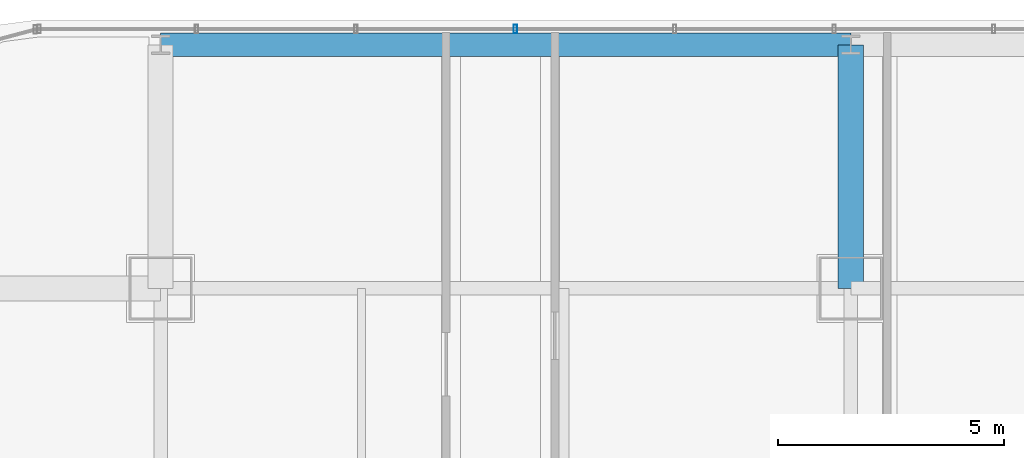
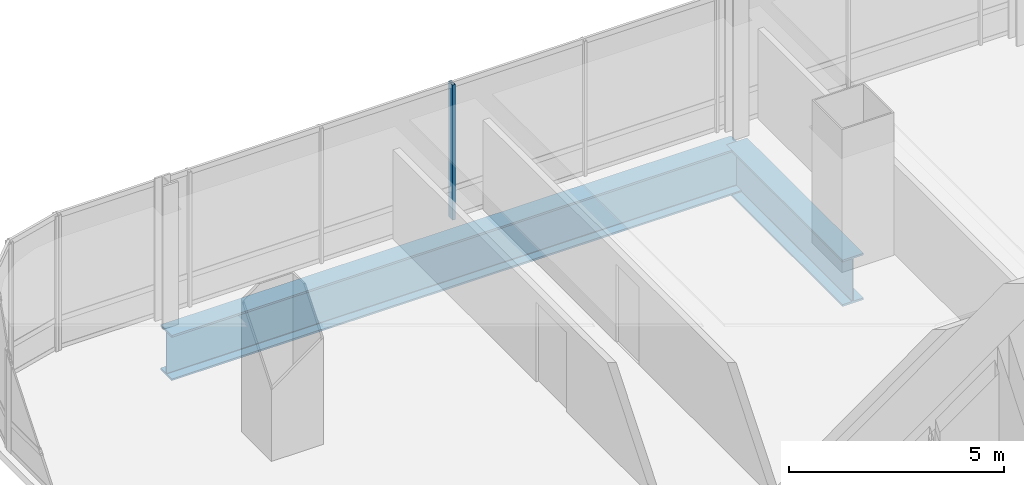
# One storey, part 22 of 38: 2 beams, 1 member, 1 element without a shape of its own.
"""IFC4 building model written with IfcOpenShell, lengths in metres."""

from ifc_helpers import new_model, si_unit, direction, frame, origin, origin_2d, place, context, subcontext, project, spatial, hollow_rectangle, i_section, extrude, material, material_profile, profile_set, type_object, element, aggregate, save


model = new_model("IFC4")

# Units and contexts
model_context = context("Model", 3, precision=1e-05, world=origin(), true_north=direction((0.0, 1.0)))
body_context = subcontext(model_context, "Body", "Model", "MODEL_VIEW")
ifc_project = project(units=[si_unit("LENGTHUNIT", "METRE"), si_unit("AREAUNIT", "SQUARE_METRE"), si_unit("VOLUMEUNIT", "CUBIC_METRE"), si_unit("PLANEANGLEUNIT", "RADIAN"), si_unit("MASSUNIT", "GRAM", prefix="KILO")], contexts=[model_context])

# Site, building, storey
site_placement = place(None, origin())
site = spatial("IfcSite", under=ifc_project, at=site_placement, CompositionType="ELEMENT")
building_placement = place(site_placement, origin())
building = spatial("IfcBuilding", under=site, at=building_placement, Name="Punatoya Terracotta Tower", CompositionType="ELEMENT")
storey_placement = place(building_placement, frame((0.0, 0.0, 147.89990234375)))
storey = spatial("IfcBuildingStorey", under=building, at=storey_placement, Name="L34", CompositionType="ELEMENT", Elevation=147.89990234375)

# Beams
ifc_material_1 = material(Name="Steel S460", Category="steel")
ifc_material_profile_1 = material_profile(ifc_material_1, i_section(OverallWidth=0.56005859375, OverallDepth=1.320068359375, WebThickness=0.035888671875, FlangeThickness=0.054931640625, FilletRadius=0.01806640625, at=origin_2d()))
ifc_profile_set_1 = profile_set([ifc_material_profile_1], Name="Steel S460")
beam_type_1 = type_object("IfcBeamType", Name="BM-TG-BLK", PredefinedType="BEAM", material=ifc_profile_set_1)
beam_1_placement = place(storey_placement, frame((-3.800048828125, 17.5, -0.8798828125), z_axis=(0.0, 1.0, 0.0), x_axis=(-1.0, 0.0, 0.0)))
element("IfcBeam", 1, at=beam_1_placement, inside=storey, type_object=beam_type_1, Name="BM-L34-CANT-N2", PredefinedType="BEAM", context=body_context, shape_type="SweptSolid", body=[
    extrude(i_section(OverallWidth=0.56005859375, OverallDepth=1.320068359375, WebThickness=0.035888671875, FlangeThickness=0.054931640625, FilletRadius=0.01806640625, at=origin_2d()), origin(), (0.0, 0.0, 1.0), 5.39990234375),
])
ifc_material_profile_2 = material_profile(ifc_material_1, i_section(OverallWidth=0.52001953125, OverallDepth=1.280029296875, WebThickness=0.031982421875, FlangeThickness=0.050048828125, FilletRadius=0.01806640625, at=origin_2d()))
ifc_profile_set_2 = profile_set([ifc_material_profile_2], Name="Steel S460")
beam_type_2 = type_object("IfcBeamType", Name="BM-TG-NCK", PredefinedType="BEAM", material=ifc_profile_set_2)
beam_2_placement = place(storey_placement, frame((-19.10009765625, 22.89990234375, -0.85986328125), z_axis=(1.0, 0.0, 0.0), x_axis=(0.0, 1.0, 0.0)))
element("IfcBeam", 2, at=beam_2_placement, inside=storey, type_object=beam_type_2, Name="BM-L34-PER-N1", PredefinedType="BEAM", context=body_context, shape_type="SweptSolid", body=[
    extrude(i_section(OverallWidth=0.52001953125, OverallDepth=1.280029296875, WebThickness=0.031982421875, FlangeThickness=0.050048828125, FilletRadius=0.01806640625, at=origin_2d()), origin(), (0.0, 0.0, 1.0), 15.300048828125),
])

# Curtain wall, member
ifc_material_2 = material(Name="Aluminium 6063-T6 + Double Low-E Glass", Category="aluminium")
curtain_wall_type = type_object("IfcCurtainWallType", Name="CW-M2", PredefinedType="NOTDEFINED", material=ifc_material_2)
curtain_wall_placement = place(storey_placement, origin())
curtain_wall = element("IfcCurtainWall", 3, at=curtain_wall_placement, inside=storey, type_object=curtain_wall_type, Name="L34 Curtain Wall CW-L34-N09-1", PredefinedType="NOTDEFINED")
ifc_material_3 = material(Name="Aluminium 6063-T6", Category="aluminium")
ifc_material_profile_3 = material_profile(ifc_material_3, hollow_rectangle(XDim=0.072021484375, YDim=0.195068359375, WallThickness=0.00439453125, at=origin_2d()))
ifc_profile_set_3 = profile_set([ifc_material_profile_3], Name="Aluminium 6063-T6")
member_type = type_object("IfcMemberType", Name="CW-MUL-M2", PredefinedType="MULLION", material=ifc_profile_set_3)
member_placement = place(storey_placement, frame((-11.235107421875, 23.25, 0.0), z_axis=(0.0, 0.0, 1.0), x_axis=(1.0, 0.0, 0.0)))
member = element("IfcMember", 4, at=member_placement, type_object=member_type, Name="CW-L34-N09-1 Mullion 08", PredefinedType="MULLION", context=body_context, shape_type="SweptSolid", body=[
    extrude(hollow_rectangle(XDim=0.072021484375, YDim=0.195068359375, WallThickness=0.00439453125, at=origin_2d()), origin(), (0.0, 0.0, 1.0), 3.830078125),
])
aggregate(curtain_wall, [member])

save(model, "model.ifc")
